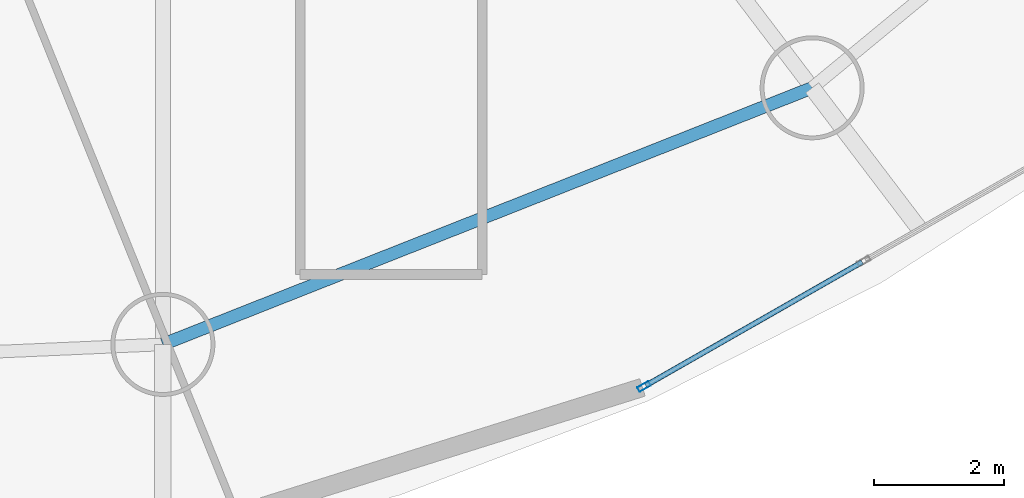
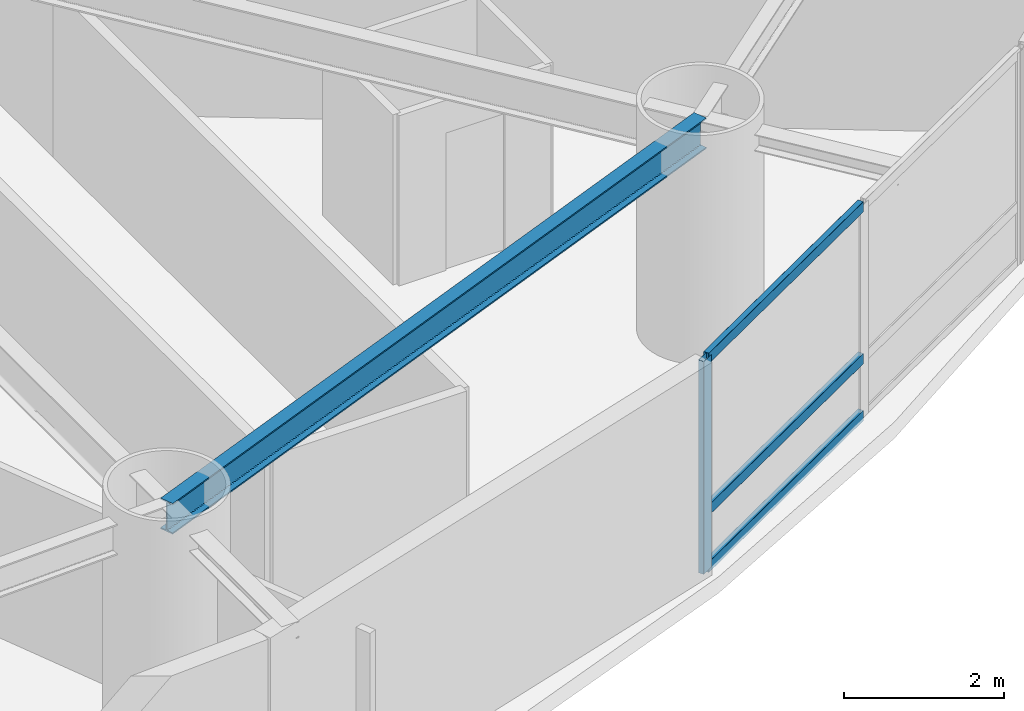
# One storey, part 4 of 26: 4 members, 1 beam, 1 element without a shape of its own.
"""IFC4 building model written with IfcOpenShell, lengths in metres."""

import ifcopenshell
import ifcopenshell.guid

model = None  # the IFC model being written
_history = None  # IfcOwnerHistory: only IFC2X3 demands one
_inside = {}  # id of a spatial element -> (the spatial element, [elements in it])
_under = {}  # id of a project, library or spatial element -> (it, [spatial elements below it])
_declared = {}  # id of a project -> (the project, [libraries it declares])
_typed = {}  # id of a type object -> (the type object, [elements of that type])
_made_of = {}  # id of a material, layer set ... -> (it, [elements and type objects made of it])


def new_model(schema):
    """Start an empty IFC model of exactly this schema.

    Asked for "IFC4X3", IfcOpenShell would pick the latest addendum, in which some entities
    have other attributes; the version numbers below select the first issue.
    IFC2X3 requires an IfcOwnerHistory on every rooted entity: one is made here for all.
    """
    global model, _history
    if schema == "IFC4X3":
        model = ifcopenshell.file(schema_version=(4, 3, 0, 0))
    else:
        model = ifcopenshell.file(schema=schema)
    _inside.clear()
    _under.clear()
    _declared.clear()
    _typed.clear()
    _made_of.clear()
    _history = None
    if model.schema == "IFC2X3":
        org = make("IfcOrganization", Name="unknown")
        user = make(
            "IfcPersonAndOrganization",
            ThePerson=make("IfcPerson", FamilyName="unknown"),
            TheOrganization=org,
        )
        app = make(
            "IfcApplication",
            ApplicationDeveloper=org,
            Version="unknown",
            ApplicationFullName="unknown",
            ApplicationIdentifier="unknown",
        )
        _history = make(
            "IfcOwnerHistory",
            OwningUser=user,
            OwningApplication=app,
            ChangeAction="ADDED",
            CreationDate=0,
        )
    return model


def make(cls, **values):
    """One entity of the class cls with the attributes given. An attribute that is None is left unset."""
    return model.create_entity(
        cls, **{name: value for name, value in values.items() if value is not None}
    )


def rooted(cls, **values):
    """An entity with a GlobalId (a new one), such as an element, a storey or a relation."""
    return make(cls, GlobalId=ifcopenshell.guid.new(), OwnerHistory=_history, **values)


def si_unit(unit_type, name, prefix=None):
    """IfcSIUnit, for example si_unit("LENGTHUNIT", "METRE", prefix="MILLI")."""
    return make("IfcSIUnit", UnitType=unit_type, Prefix=prefix, Name=name)


def assignment(units):
    """IfcUnitAssignment: the units of a project."""
    return None if units is None else make("IfcUnitAssignment", Units=units)


def point(xyz):
    """IfcCartesianPoint."""
    return None if xyz is None else make("IfcCartesianPoint", Coordinates=xyz)


def direction(xyz):
    """IfcDirection."""
    return None if xyz is None else make("IfcDirection", DirectionRatios=xyz)


def frame(location, z_axis=None, x_axis=None):
    """IfcAxis2Placement3D, a coordinate frame: its origin and axes. An axis left out is left unset."""
    return make(
        "IfcAxis2Placement3D",
        Location=point(location),
        Axis=direction(z_axis),
        RefDirection=direction(x_axis),
    )


def frame_2d(location, x_axis=None):
    """IfcAxis2Placement2D, a coordinate frame in the plane: its origin and x axis."""
    return make(
        "IfcAxis2Placement2D", Location=point(location), RefDirection=direction(x_axis)
    )


def origin():
    """The frame at (0, 0, 0) with its axes left unset."""
    return frame((0.0, 0.0, 0.0))


def origin_2d():
    """The frame at (0, 0) in the plane with its x axis left unset."""
    return frame_2d((0.0, 0.0))


def place(relative_to, where):
    """IfcLocalPlacement: puts the frame where relative to a parent placement (None: the world)."""
    return make(
        "IfcLocalPlacement", PlacementRelTo=relative_to, RelativePlacement=where
    )


def context(
    kind, dimensions, precision=None, world=None, true_north=None, identifier=None
):
    """IfcGeometricRepresentationContext, for example the 3D "Model" context."""
    return make(
        "IfcGeometricRepresentationContext",
        ContextIdentifier=identifier,
        ContextType=kind,
        CoordinateSpaceDimension=dimensions,
        Precision=precision,
        WorldCoordinateSystem=world,
        TrueNorth=true_north,
    )


def subcontext(parent, identifier, kind, view, scale=None):
    """IfcGeometricRepresentationSubContext, for example "Body" below "Model"."""
    return make(
        "IfcGeometricRepresentationSubContext",
        ContextIdentifier=identifier,
        ContextType=kind,
        ParentContext=parent,
        TargetScale=scale,
        TargetView=view,
    )


def project(units=None, contexts=None):
    """IfcProject with its units and contexts."""
    return rooted(
        "IfcProject",
        Name="project",
        RepresentationContexts=contexts,
        UnitsInContext=assignment(units),
    )


def spatial(cls, under=None, at=None, **own):
    """A site, building, storey or space (cls), placed at a placement, below another one or the project."""
    s = rooted(cls, ObjectPlacement=at, **own)
    if under is not None:
        _under.setdefault(under.id(), (under, []))[1].append(s)
    return s


def profile(cls, at=None, kind="AREA", **sizes):
    """A parametric profile (cls). Its sizes go by their IFC names, for example OverallWidth=200.0."""
    return make(cls, ProfileType=kind, Position=at, **sizes)


def hollow_rectangle(**sizes):
    """IfcRectangleHollowProfileDef."""
    return profile("IfcRectangleHollowProfileDef", **sizes)


def i_section(**sizes):
    """IfcIShapeProfileDef."""
    return profile("IfcIShapeProfileDef", **sizes)


def extrude(swept, where, along, depth):
    """IfcExtrudedAreaSolid: the profile swept, set in the frame where, extruded along a direction by depth."""
    return make(
        "IfcExtrudedAreaSolid",
        SweptArea=swept,
        Position=where,
        ExtrudedDirection=direction(along),
        Depth=depth,
    )


def shape(context_of_items, identifier, shape_type, items):
    """IfcShapeRepresentation: the items that make up one representation, for example the "Body"."""
    return make(
        "IfcShapeRepresentation",
        ContextOfItems=context_of_items,
        RepresentationIdentifier=identifier,
        RepresentationType=shape_type,
        Items=items,
    )


def material(Name=None, Category=None):
    """IfcMaterial."""
    return make("IfcMaterial", Name=Name, Category=Category)


def layer(
    of_material, thickness, ventilated=None, Name=None, Category=None, Priority=None
):
    """IfcMaterialLayer: one layer of a wall or slab, of a material (None: an air gap)."""
    return make(
        "IfcMaterialLayer",
        Material=of_material,
        LayerThickness=thickness,
        IsVentilated=ventilated,
        Name=Name,
        Category=Category,
        Priority=Priority,
    )


def layer_set(layers, Name=None):
    """IfcMaterialLayerSet."""
    return make("IfcMaterialLayerSet", MaterialLayers=layers, LayerSetName=Name)


def material_profile(
    of_material, cross_section, Name=None, Category=None, Priority=None
):
    """IfcMaterialProfile: a cross section and its material."""
    return make(
        "IfcMaterialProfile",
        Name=Name,
        Material=of_material,
        Profile=cross_section,
        Priority=Priority,
        Category=Category,
    )


def profile_set(profiles, Name=None, composite=None):
    """IfcMaterialProfileSet."""
    return make(
        "IfcMaterialProfileSet",
        Name=Name,
        MaterialProfiles=profiles,
        CompositeProfile=composite,
    )


def made_of(thing, what):
    """Note that an element or type object is made of a material, layer set ...; save() writes the relation."""
    if what is not None:
        _made_of.setdefault(what.id(), (what, []))[1].append(thing)
    return thing


def type_object(cls, material=None, **own):
    """A type object (cls), such as IfcWallType, which elements share."""
    return made_of(rooted(cls, **own), material)


def element(
    cls,
    number,
    at=None,
    inside=None,
    cuts=None,
    type_object=None,
    material=None,
    context=None,
    identifier="Body",
    shape_type=None,
    held_by="IfcProductDefinitionShape",
    body=None,
    shapes=None,
    **own,
):
    """One element of the class cls, such as IfcWall. Its Tag is "e" and its number.

    at: its placement. inside: the storey or other place that contains it. cuts: it is an
    opening in that element (IfcRelVoidsElement). A single representation is given by context,
    identifier, shape_type and body (its items); several are given by shapes. held_by: the class
    of the entity that holds the representations. save() writes the other relations.
    """
    e = rooted(cls, Tag="e%d" % number, ObjectPlacement=at, **own)
    if body is not None:
        shapes = [shape(context, identifier, shape_type, body)]
    if shapes is not None:
        e.Representation = make(held_by, Representations=shapes)
    if inside is not None:
        _inside.setdefault(inside.id(), (inside, []))[1].append(e)
    if cuts is not None:
        rooted(
            "IfcRelVoidsElement", RelatingBuildingElement=cuts, RelatedOpeningElement=e
        )
    if type_object is not None:
        _typed.setdefault(type_object.id(), (type_object, []))[1].append(e)
    return made_of(e, material)


def aggregate(whole, parts):
    """IfcRelAggregates: a whole, such as a stair, and the parts it consists of."""
    return rooted("IfcRelAggregates", RelatingObject=whole, RelatedObjects=parts)


def save(model, path):
    """Write the relations noted so far, then the file.

    IfcRelAggregates (storeys below a building ...), IfcRelContainedInSpatialStructure (elements
    in a storey), IfcRelDefinesByType, IfcRelAssociatesMaterial and IfcRelDeclares: one each for
    every whole, place, type object, material and project.
    """
    for whole, parts in _under.values():
        aggregate(whole, parts)
    for where, things in _inside.values():
        rooted(
            "IfcRelContainedInSpatialStructure",
            RelatedElements=things,
            RelatingStructure=where,
        )
    for kind, things in _typed.values():
        rooted("IfcRelDefinesByType", RelatedObjects=things, RelatingType=kind)
    for what, things in _made_of.values():
        rooted("IfcRelAssociatesMaterial", RelatedObjects=things, RelatingMaterial=what)
    for by, libraries in _declared.values():
        rooted("IfcRelDeclares", RelatingContext=by, RelatedDefinitions=libraries)
    model.write(path)


model = new_model("IFC4")

# Units and contexts
model_context = context("Model", 3, precision=1e-05, world=origin(), true_north=direction((0.0, 1.0)))
body_context = subcontext(model_context, "Body", "Model", "MODEL_VIEW")
ifc_project = project(units=[si_unit("LENGTHUNIT", "METRE"), si_unit("AREAUNIT", "SQUARE_METRE"), si_unit("VOLUMEUNIT", "CUBIC_METRE"), si_unit("PLANEANGLEUNIT", "RADIAN"), si_unit("MASSUNIT", "GRAM", prefix="KILO")], contexts=[model_context])

# Site, building, storey
site_placement = place(None, origin())
site = spatial("IfcSite", under=ifc_project, at=site_placement, CompositionType="ELEMENT")
building_placement = place(site_placement, origin())
building = spatial("IfcBuilding", under=site, at=building_placement, Name="Bramvorn Convention Spire", CompositionType="ELEMENT")
storey_placement = place(building_placement, frame((0.0, 0.0, 51.89990234375)))
storey = spatial("IfcBuildingStorey", under=building, at=storey_placement, Name="L10", CompositionType="ELEMENT", Elevation=51.89990234375)

# Beam
ifc_material_1 = material(Name="Steel CSA G40.21 Grade 350 (350W)", Category="steel")
ifc_material_profile_1 = material_profile(ifc_material_1, i_section(OverallWidth=0.194091796875, OverallDepth=0.468994140625, WebThickness=0.0126953125, FlangeThickness=0.0205078125, FilletRadius=0.01806640625, at=origin_2d()))
ifc_profile_set_1 = profile_set([ifc_material_profile_1], Name="Steel CSA G40.21 Grade 350 (350W) - W460X106")
beam_type = type_object("IfcBeamType", Name="BM-W460X106", PredefinedType="SPANDREL", material=ifc_profile_set_1)
beam_placement = place(storey_placement, frame((46.23779296875, 5.42333984375, 3.015625), z_axis=(0.93000950609, 0.367535465749, 0.0), x_axis=(-0.367535465749, 0.93000950609, 0.0)))
element("IfcBeam", 1, at=beam_placement, inside=storey, type_object=beam_type, Name="L10 mega-column ring beam 14", PredefinedType="SPANDREL", context=body_context, shape_type="SweptSolid", body=[
    extrude(i_section(OverallWidth=0.194091796875, OverallDepth=0.468994140625, WebThickness=0.0126953125, FlangeThickness=0.0205078125, FilletRadius=0.01806640625, at=origin_2d()), origin(), (0.0, 0.0, 1.0), 10.74169921875),
])

# Curtain wall, members
ifc_material_2 = material(Name="Anodised Bronze Unitised Curtain Wall", Category="aluminium")
ifc_layer = layer(ifc_material_2, 0.179931640625)
ifc_layer_set = layer_set([ifc_layer], Name="Anodised Bronze Unitised Curtain Wall - CW-HTL-FRIT")
curtain_wall_type = type_object("IfcCurtainWallType", Name="CW-HTL-FRIT", PredefinedType="USERDEFINED", material=ifc_layer_set)
curtain_wall_placement = place(storey_placement, origin())
curtain_wall = element("IfcCurtainWall", 2, at=curtain_wall_placement, inside=storey, type_object=curtain_wall_type, Name="L10 fritted glass curtain wall 21", ObjectType="UNITISED CURTAIN WALL", PredefinedType="USERDEFINED")
ifc_material_3 = material(Name="Anodised Bronze Aluminium 6063-T6", Category="aluminium")
ifc_material_profile_2 = material_profile(ifc_material_3, hollow_rectangle(XDim=0.080078125, YDim=0.199951171875, WallThickness=0.00390625, InnerFilletRadius=0.0009765625, OuterFilletRadius=0.00390625, at=origin_2d()))
ifc_profile_set_2 = profile_set([ifc_material_profile_2], Name="Anodised Bronze Aluminium 6063-T6 - CWM80X200")
member_type_1 = type_object("IfcMemberType", Name="CW-MUL-180", PredefinedType="MULLION", material=ifc_profile_set_2)
member_1_placement = place(storey_placement, frame((53.642822265625, 4.7763671875, 0.0), z_axis=(0.0, 0.0, 1.0), x_axis=(0.495725676934, -0.868479161079, 0.0)))
member_1 = element("IfcMember", 3, at=member_1_placement, type_object=member_type_1, Name="CW2 mullion 3", PredefinedType="MULLION", context=body_context, shape_type="SweptSolid", body=[
    extrude(hollow_rectangle(XDim=0.080078125, YDim=0.199951171875, WallThickness=0.00390625, InnerFilletRadius=0.0009765625, OuterFilletRadius=0.00390625, at=origin_2d()), origin(), (0.0, 0.0, 1.0), 3.25),
])
ifc_material_profile_3 = material_profile(ifc_material_3, hollow_rectangle(XDim=0.080078125, YDim=0.159912109375, WallThickness=0.00390625, InnerFilletRadius=0.0009765625, OuterFilletRadius=0.00390625, at=origin_2d()))
ifc_profile_set_3 = profile_set([ifc_material_profile_3], Name="Anodised Bronze Aluminium 6063-T6 - CWT80X160")
member_type_2 = type_object("IfcMemberType", Name="CW-TRN-150", PredefinedType="USERDEFINED", material=ifc_profile_set_3)
member_2_placement = place(storey_placement, frame((56.997314453125, 6.69091796875, 0.030029296875), z_axis=(-0.86849784983, -0.495692934023, 0.0), x_axis=(0.495692934023, -0.86849784983, 0.0)))
member_2 = element("IfcMember", 4, at=member_2_placement, type_object=member_type_2, Name="CW2 transom 2.1", ObjectType="TRANSOM", PredefinedType="USERDEFINED", context=body_context, shape_type="SweptSolid", body=[
    extrude(hollow_rectangle(XDim=0.080078125, YDim=0.159912109375, WallThickness=0.00390625, InnerFilletRadius=0.0009765625, OuterFilletRadius=0.00390625, at=origin_2d()), origin(), (0.0, 0.0, 1.0), 3.832275390625),
])
member_3_placement = place(storey_placement, frame((56.997314453125, 6.69091796875, 0.900146484375), z_axis=(-0.86849784983, -0.495692934023, 0.0), x_axis=(0.495692934023, -0.86849784983, 0.0)))
member_3 = element("IfcMember", 5, at=member_3_placement, type_object=member_type_2, Name="CW2 transom 2.2", ObjectType="TRANSOM", PredefinedType="USERDEFINED", context=body_context, shape_type="SweptSolid", body=[
    extrude(hollow_rectangle(XDim=0.080078125, YDim=0.159912109375, WallThickness=0.00390625, InnerFilletRadius=0.0009765625, OuterFilletRadius=0.00390625, at=origin_2d()), origin(), (0.0, 0.0, 1.0), 3.832275390625),
])
member_4_placement = place(storey_placement, frame((56.997314453125, 6.69091796875, 3.22021484375), z_axis=(-0.86849784983, -0.495692934023, 0.0), x_axis=(0.495692934023, -0.86849784983, 0.0)))
member_4 = element("IfcMember", 6, at=member_4_placement, type_object=member_type_2, Name="CW2 transom 2.3", ObjectType="TRANSOM", PredefinedType="USERDEFINED", context=body_context, shape_type="SweptSolid", body=[
    extrude(hollow_rectangle(XDim=0.080078125, YDim=0.159912109375, WallThickness=0.00390625, InnerFilletRadius=0.0009765625, OuterFilletRadius=0.00390625, at=origin_2d()), origin(), (0.0, 0.0, 1.0), 3.832275390625),
])
aggregate(curtain_wall, [member_1, member_2, member_3, member_4])

save(model, "model.ifc")
